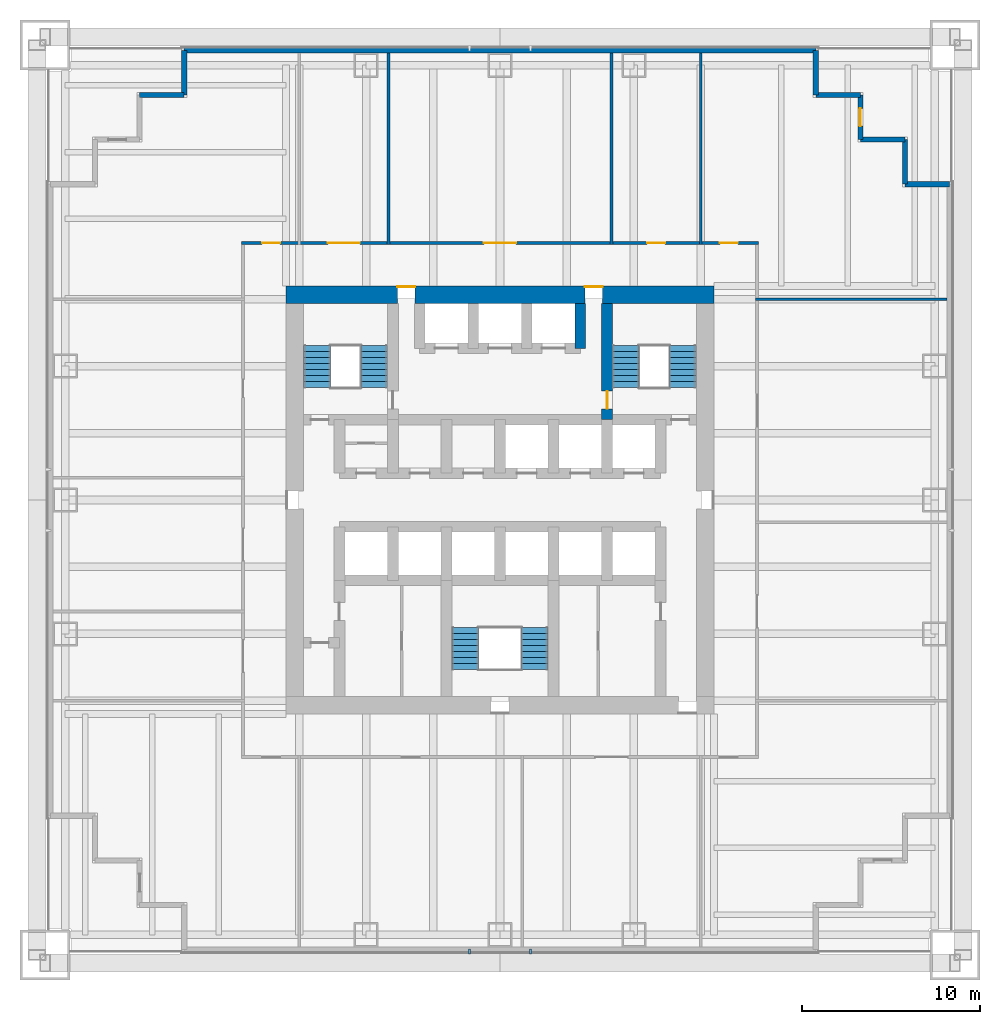
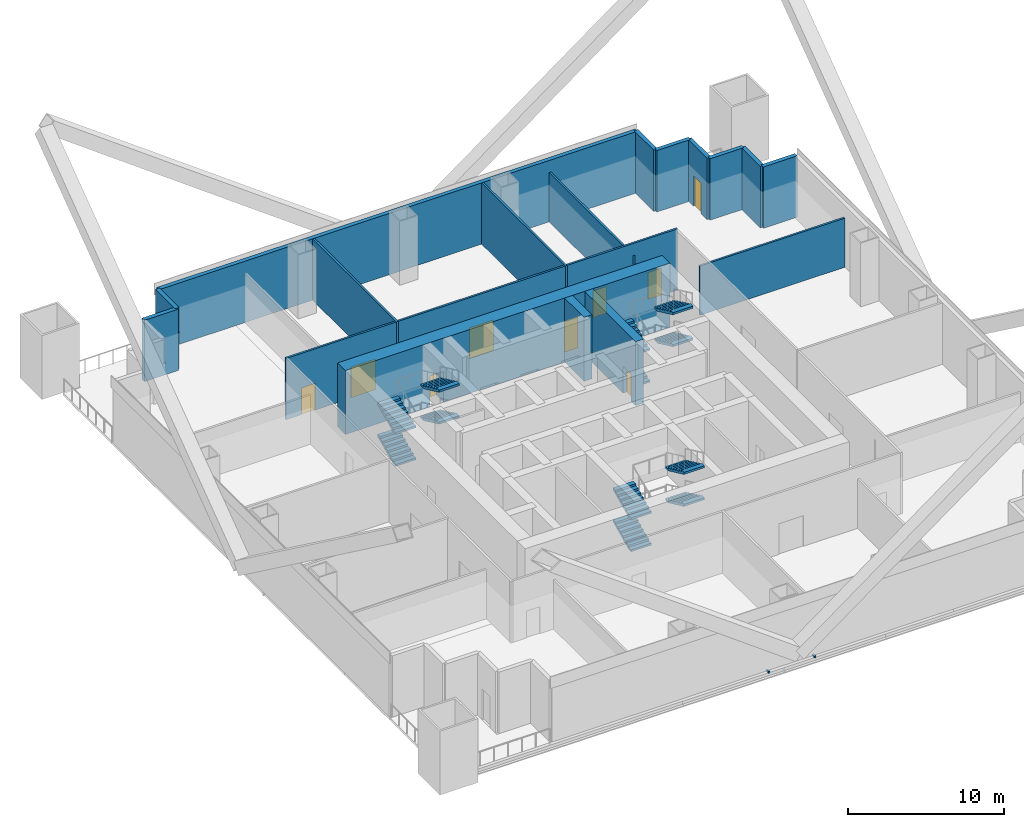
# One storey, part 4 of 7: 17 walls, 12 stair flights, 9 doors, 2 discrete accessories, 9 openings, 3 elements without a shape of their own.
"""IFC4 building model written with IfcOpenShell, lengths in metres."""

import ifcopenshell
import ifcopenshell.guid

model = None  # the IFC model being written
_history = None  # IfcOwnerHistory: only IFC2X3 demands one
_inside = {}  # id of a spatial element -> (the spatial element, [elements in it])
_under = {}  # id of a project, library or spatial element -> (it, [spatial elements below it])
_declared = {}  # id of a project -> (the project, [libraries it declares])
_typed = {}  # id of a type object -> (the type object, [elements of that type])
_made_of = {}  # id of a material, layer set ... -> (it, [elements and type objects made of it])


def new_model(schema):
    """Start an empty IFC model of exactly this schema.

    Asked for "IFC4X3", IfcOpenShell would pick the latest addendum, in which some entities
    have other attributes; the version numbers below select the first issue.
    IFC2X3 requires an IfcOwnerHistory on every rooted entity: one is made here for all.
    """
    global model, _history
    if schema == "IFC4X3":
        model = ifcopenshell.file(schema_version=(4, 3, 0, 0))
    else:
        model = ifcopenshell.file(schema=schema)
    _inside.clear()
    _under.clear()
    _declared.clear()
    _typed.clear()
    _made_of.clear()
    _history = None
    if model.schema == "IFC2X3":
        org = make("IfcOrganization", Name="unknown")
        user = make(
            "IfcPersonAndOrganization",
            ThePerson=make("IfcPerson", FamilyName="unknown"),
            TheOrganization=org,
        )
        app = make(
            "IfcApplication",
            ApplicationDeveloper=org,
            Version="unknown",
            ApplicationFullName="unknown",
            ApplicationIdentifier="unknown",
        )
        _history = make(
            "IfcOwnerHistory",
            OwningUser=user,
            OwningApplication=app,
            ChangeAction="ADDED",
            CreationDate=0,
        )
    return model


def make(cls, **values):
    """One entity of the class cls with the attributes given. An attribute that is None is left unset."""
    return model.create_entity(
        cls, **{name: value for name, value in values.items() if value is not None}
    )


def rooted(cls, **values):
    """An entity with a GlobalId (a new one), such as an element, a storey or a relation."""
    return make(cls, GlobalId=ifcopenshell.guid.new(), OwnerHistory=_history, **values)


def si_unit(unit_type, name, prefix=None):
    """IfcSIUnit, for example si_unit("LENGTHUNIT", "METRE", prefix="MILLI")."""
    return make("IfcSIUnit", UnitType=unit_type, Prefix=prefix, Name=name)


def assignment(units):
    """IfcUnitAssignment: the units of a project."""
    return None if units is None else make("IfcUnitAssignment", Units=units)


def point(xyz):
    """IfcCartesianPoint."""
    return None if xyz is None else make("IfcCartesianPoint", Coordinates=xyz)


def direction(xyz):
    """IfcDirection."""
    return None if xyz is None else make("IfcDirection", DirectionRatios=xyz)


def frame(location, z_axis=None, x_axis=None):
    """IfcAxis2Placement3D, a coordinate frame: its origin and axes. An axis left out is left unset."""
    return make(
        "IfcAxis2Placement3D",
        Location=point(location),
        Axis=direction(z_axis),
        RefDirection=direction(x_axis),
    )


def frame_2d(location, x_axis=None):
    """IfcAxis2Placement2D, a coordinate frame in the plane: its origin and x axis."""
    return make(
        "IfcAxis2Placement2D", Location=point(location), RefDirection=direction(x_axis)
    )


def origin():
    """The frame at (0, 0, 0) with its axes left unset."""
    return frame((0.0, 0.0, 0.0))


def origin_2d():
    """The frame at (0, 0) in the plane with its x axis left unset."""
    return frame_2d((0.0, 0.0))


def place(relative_to, where):
    """IfcLocalPlacement: puts the frame where relative to a parent placement (None: the world)."""
    return make(
        "IfcLocalPlacement", PlacementRelTo=relative_to, RelativePlacement=where
    )


def context(
    kind, dimensions, precision=None, world=None, true_north=None, identifier=None
):
    """IfcGeometricRepresentationContext, for example the 3D "Model" context."""
    return make(
        "IfcGeometricRepresentationContext",
        ContextIdentifier=identifier,
        ContextType=kind,
        CoordinateSpaceDimension=dimensions,
        Precision=precision,
        WorldCoordinateSystem=world,
        TrueNorth=true_north,
    )


def subcontext(parent, identifier, kind, view, scale=None):
    """IfcGeometricRepresentationSubContext, for example "Body" below "Model"."""
    return make(
        "IfcGeometricRepresentationSubContext",
        ContextIdentifier=identifier,
        ContextType=kind,
        ParentContext=parent,
        TargetScale=scale,
        TargetView=view,
    )


def project(units=None, contexts=None):
    """IfcProject with its units and contexts."""
    return rooted(
        "IfcProject",
        Name="project",
        RepresentationContexts=contexts,
        UnitsInContext=assignment(units),
    )


def spatial(cls, under=None, at=None, **own):
    """A site, building, storey or space (cls), placed at a placement, below another one or the project."""
    s = rooted(cls, ObjectPlacement=at, **own)
    if under is not None:
        _under.setdefault(under.id(), (under, []))[1].append(s)
    return s


def polyline(points):
    """IfcPolyline through the points."""
    return make("IfcPolyline", Points=[point(p) for p in points])


def profile(cls, at=None, kind="AREA", **sizes):
    """A parametric profile (cls). Its sizes go by their IFC names, for example OverallWidth=200.0."""
    return make(cls, ProfileType=kind, Position=at, **sizes)


def rectangle(**sizes):
    """IfcRectangleProfileDef."""
    return profile("IfcRectangleProfileDef", **sizes)


def outline(outer, holes=None, kind="AREA"):
    """IfcArbitraryClosedProfileDef: a profile drawn as a closed curve; with holes, ...WithVoids."""
    if holes is None:
        return make("IfcArbitraryClosedProfileDef", ProfileType=kind, OuterCurve=outer)
    return make(
        "IfcArbitraryProfileDefWithVoids",
        ProfileType=kind,
        OuterCurve=outer,
        InnerCurves=holes,
    )


def extrude(swept, where, along, depth):
    """IfcExtrudedAreaSolid: the profile swept, set in the frame where, extruded along a direction by depth."""
    return make(
        "IfcExtrudedAreaSolid",
        SweptArea=swept,
        Position=where,
        ExtrudedDirection=direction(along),
        Depth=depth,
    )


def shape(context_of_items, identifier, shape_type, items):
    """IfcShapeRepresentation: the items that make up one representation, for example the "Body"."""
    return make(
        "IfcShapeRepresentation",
        ContextOfItems=context_of_items,
        RepresentationIdentifier=identifier,
        RepresentationType=shape_type,
        Items=items,
    )


def material(Name=None, Category=None):
    """IfcMaterial."""
    return make("IfcMaterial", Name=Name, Category=Category)


def layer(
    of_material, thickness, ventilated=None, Name=None, Category=None, Priority=None
):
    """IfcMaterialLayer: one layer of a wall or slab, of a material (None: an air gap)."""
    return make(
        "IfcMaterialLayer",
        Material=of_material,
        LayerThickness=thickness,
        IsVentilated=ventilated,
        Name=Name,
        Category=Category,
        Priority=Priority,
    )


def layer_set(layers, Name=None):
    """IfcMaterialLayerSet."""
    return make("IfcMaterialLayerSet", MaterialLayers=layers, LayerSetName=Name)


def made_of(thing, what):
    """Note that an element or type object is made of a material, layer set ...; save() writes the relation."""
    if what is not None:
        _made_of.setdefault(what.id(), (what, []))[1].append(thing)
    return thing


def type_object(cls, material=None, **own):
    """A type object (cls), such as IfcWallType, which elements share."""
    return made_of(rooted(cls, **own), material)


def element(
    cls,
    number,
    at=None,
    inside=None,
    cuts=None,
    type_object=None,
    material=None,
    context=None,
    identifier="Body",
    shape_type=None,
    held_by="IfcProductDefinitionShape",
    body=None,
    shapes=None,
    **own,
):
    """One element of the class cls, such as IfcWall. Its Tag is "e" and its number.

    at: its placement. inside: the storey or other place that contains it. cuts: it is an
    opening in that element (IfcRelVoidsElement). A single representation is given by context,
    identifier, shape_type and body (its items); several are given by shapes. held_by: the class
    of the entity that holds the representations. save() writes the other relations.
    """
    e = rooted(cls, Tag="e%d" % number, ObjectPlacement=at, **own)
    if body is not None:
        shapes = [shape(context, identifier, shape_type, body)]
    if shapes is not None:
        e.Representation = make(held_by, Representations=shapes)
    if inside is not None:
        _inside.setdefault(inside.id(), (inside, []))[1].append(e)
    if cuts is not None:
        rooted(
            "IfcRelVoidsElement", RelatingBuildingElement=cuts, RelatedOpeningElement=e
        )
    if type_object is not None:
        _typed.setdefault(type_object.id(), (type_object, []))[1].append(e)
    return made_of(e, material)


def fill(opening, filler):
    """IfcRelFillsElement: the door or window that sits in an opening."""
    return rooted(
        "IfcRelFillsElement",
        RelatingOpeningElement=opening,
        RelatedBuildingElement=filler,
    )


def aggregate(whole, parts):
    """IfcRelAggregates: a whole, such as a stair, and the parts it consists of."""
    return rooted("IfcRelAggregates", RelatingObject=whole, RelatedObjects=parts)


def save(model, path):
    """Write the relations noted so far, then the file.

    IfcRelAggregates (storeys below a building ...), IfcRelContainedInSpatialStructure (elements
    in a storey), IfcRelDefinesByType, IfcRelAssociatesMaterial and IfcRelDeclares: one each for
    every whole, place, type object, material and project.
    """
    for whole, parts in _under.values():
        aggregate(whole, parts)
    for where, things in _inside.values():
        rooted(
            "IfcRelContainedInSpatialStructure",
            RelatedElements=things,
            RelatingStructure=where,
        )
    for kind, things in _typed.values():
        rooted("IfcRelDefinesByType", RelatedObjects=things, RelatingType=kind)
    for what, things in _made_of.values():
        rooted("IfcRelAssociatesMaterial", RelatedObjects=things, RelatingMaterial=what)
    for by, libraries in _declared.values():
        rooted("IfcRelDeclares", RelatingContext=by, RelatedDefinitions=libraries)
    model.write(path)


model = new_model("IFC4")

# Units and contexts
model_context = context("Model", 3, precision=1e-05, world=origin(), true_north=direction((0.0, 1.0)))
body_context = subcontext(model_context, "Body", "Model", "MODEL_VIEW")
ifc_project = project(units=[si_unit("LENGTHUNIT", "METRE"), si_unit("AREAUNIT", "SQUARE_METRE"), si_unit("VOLUMEUNIT", "CUBIC_METRE"), si_unit("PLANEANGLEUNIT", "RADIAN"), si_unit("MASSUNIT", "GRAM", prefix="KILO")], contexts=[model_context])

# Site, building, storey
site_placement = place(None, origin())
site = spatial("IfcSite", under=ifc_project, at=site_placement, CompositionType="ELEMENT")
building_placement = place(site_placement, origin())
building = spatial("IfcBuilding", under=site, at=building_placement, Name="Tarangal Relay Tower", CompositionType="ELEMENT")
storey_placement = place(building_placement, frame((0.0, 0.0, 78.39990234375)))
storey = spatial("IfcBuildingStorey", under=building, at=storey_placement, Name="L15", CompositionType="ELEMENT", Elevation=78.39990234375)

# Wall, opening, door
ifc_material_1 = material(Name="Concrete fc' 60 MPa", Category="concrete")
ifc_layer_1 = layer(ifc_material_1, 0.60009765625)
ifc_layer_set_1 = layer_set([ifc_layer_1], Name="Core inner wall 600")
wall_type_1 = type_object("IfcWallType", Name="Core inner wall 600", PredefinedType="SHEAR", material=ifc_layer_set_1)
wall_1_placement = place(storey_placement, frame((6.0, 4.5, 0.0), z_axis=(0.0, 0.0, 1.0), x_axis=(0.0, 1.0, 0.0)))
wall_1 = element("IfcWall", 1, at=wall_1_placement, inside=storey, type_object=wall_type_1, Name="Core wall X6 L15", PredefinedType="SHEAR", context=body_context, shape_type="SweptSolid", body=[
    extrude(rectangle(XDim=6.5, YDim=0.60009765625, at=frame_2d((3.25, 0.0))), origin(), (0.0, 0.0, 1.0), 5.0),
])
opening_1_placement = place(wall_1_placement, frame((0.60009765625, 0.0, 0.0)))
opening_1 = element("IfcOpeningElement", 2, at=opening_1_placement, cuts=wall_1, Name="Opening FD1", PredefinedType="OPENING", context=body_context, shape_type="SweptSolid", body=[
    extrude(rectangle(XDim=1.0, YDim=2.10009765625, at=frame_2d((0.5, 1.050048828125))), frame((0.0, 0.31005859375, 0.0), z_axis=(0.0, -1.0, 0.0), x_axis=(1.0, 0.0, 0.0)), (0.0, 0.0, 1.0), 0.6201171875),
])
ifc_material_2 = material(Name="Steel door with hardwood frame", Category="steel")
door_type_1 = type_object("IfcDoorType", Name="Fire door 1000 x 2100", OperationType="SINGLE_SWING_LEFT", PredefinedType="DOOR", material=ifc_material_2)
door_1_placement = place(opening_1_placement, origin())
door_1 = element("IfcDoor", 3, at=door_1_placement, inside=storey, type_object=door_type_1, Name="Stair ST-B door from fire-fighting lobby L15", OperationType="SINGLE_SWING_LEFT", OverallHeight=2.10009765625, OverallWidth=1.0, PredefinedType="DOOR", context=body_context, shape_type="SweptSolid", body=[
    extrude(rectangle(XDim=1.0, YDim=2.10009765625, at=frame_2d((0.5, 1.050048828125))), frame((0.0, 0.02490234375, 0.0), z_axis=(0.0, -1.0, 0.0), x_axis=(1.0, 0.0, 0.0)), (0.0, 0.0, 1.0), 0.050048828125),
])
fill(opening_1, door_1)

# Wall
wall_2_placement = place(storey_placement, frame((4.5, 8.5, 0.0), z_axis=(0.0, 0.0, 1.0), x_axis=(0.0, 1.0, 0.0)))
element("IfcWall", 4, at=wall_2_placement, inside=storey, type_object=wall_type_1, Name="Core wall X45 L15", PredefinedType="SHEAR", context=body_context, shape_type="SweptSolid", body=[
    extrude(rectangle(XDim=2.5, YDim=0.60009765625, at=frame_2d((1.25, 0.0))), origin(), (0.0, 0.0, 1.0), 5.0),
])

# Wall, openings, doors
ifc_layer_2 = layer(ifc_material_1, 1.0)
ifc_layer_set_2 = layer_set([ifc_layer_2], Name="Core wall 1000")
wall_type_2 = type_object("IfcWallType", Name="Core wall 1000", PredefinedType="SHEAR", material=ifc_layer_set_2)
wall_3_placement = place(storey_placement, frame((-12.0, 11.5, 0.0), z_axis=(0.0, 0.0, 1.0), x_axis=(1.0, 0.0, 0.0)))
wall_3 = element("IfcWall", 5, at=wall_3_placement, inside=storey, type_object=wall_type_2, Name="Core wall N L15", PredefinedType="SHEAR", context=body_context, shape_type="SweptSolid", body=[
    extrude(rectangle(XDim=24.0, YDim=1.0, at=frame_2d((12.0, 0.0))), origin(), (0.0, 0.0, 1.0), 5.0),
])
opening_2_placement = place(wall_3_placement, frame((6.25, 0.0, 0.0)))
opening_2 = element("IfcOpeningElement", 6, at=opening_2_placement, cuts=wall_3, Name="Opening FD3", PredefinedType="OPENING", context=body_context, shape_type="SweptSolid", body=[
    extrude(rectangle(XDim=1.0, YDim=2.39990234375, at=frame_2d((0.5, 1.199951171875))), frame((0.0, 0.510009765625, 0.0), z_axis=(0.0, -1.0, 0.0), x_axis=(1.0, 0.0, 0.0)), (0.0, 0.0, 1.0), 1.02001953125),
])
opening_3_placement = place(wall_3_placement, frame((16.75, 0.0, 0.0)))
opening_3 = element("IfcOpeningElement", 7, at=opening_3_placement, cuts=wall_3, Name="Opening FD3", PredefinedType="OPENING", context=body_context, shape_type="SweptSolid", body=[
    extrude(rectangle(XDim=1.0, YDim=2.39990234375, at=frame_2d((0.5, 1.199951171875))), frame((0.0, 0.510009765625, 0.0), z_axis=(0.0, -1.0, 0.0), x_axis=(1.0, 0.0, 0.0)), (0.0, 0.0, 1.0), 1.02001953125),
])
door_type_2 = type_object("IfcDoorType", Name="Fire door 1000 x 2400 core entry", OperationType="SINGLE_SWING_RIGHT", PredefinedType="DOOR", material=ifc_material_2)
door_2_placement = place(opening_2_placement, origin())
door_2 = element("IfcDoor", 8, at=door_2_placement, inside=storey, type_object=door_type_2, Name="Core entry door north west L15", OperationType="SINGLE_SWING_RIGHT", OverallHeight=2.39990234375, OverallWidth=1.0, PredefinedType="DOOR", context=body_context, shape_type="SweptSolid", body=[
    extrude(rectangle(XDim=1.0, YDim=2.39990234375, at=frame_2d((0.5, 1.199951171875))), frame((0.0, 0.48486328125, 0.0), z_axis=(0.0, -1.0, 0.0), x_axis=(1.0, 0.0, 0.0)), (0.0, 0.0, 1.0), 0.050048828125),
])
fill(opening_2, door_2)
door_3_placement = place(opening_3_placement, origin())
door_3 = element("IfcDoor", 9, at=door_3_placement, inside=storey, type_object=door_type_2, Name="Core entry door north east L15", OperationType="SINGLE_SWING_RIGHT", OverallHeight=2.39990234375, OverallWidth=1.0, PredefinedType="DOOR", context=body_context, shape_type="SweptSolid", body=[
    extrude(rectangle(XDim=1.0, YDim=2.39990234375, at=frame_2d((0.5, 1.199951171875))), frame((0.0, 0.48486328125, 0.0), z_axis=(0.0, -1.0, 0.0), x_axis=(1.0, 0.0, 0.0)), (0.0, 0.0, 1.0), 0.050048828125),
])
fill(opening_3, door_3)

# Walls
ifc_material_3 = material(Name="Insulated precast concrete fc' 40 MPa", Category="concrete")
ifc_layer_3 = layer(ifc_material_3, 0.300048828125)
ifc_layer_set_3 = layer_set([ifc_layer_3], Name="Insulated precast concrete fc' 40 MPa")
wall_type_3 = type_object("IfcWallType", Name="Facade wall precast 300", PredefinedType="SOLIDWALL", material=ifc_layer_set_3)
wall_4_placement = place(storey_placement, frame((-17.699951171875, 25.199951171875, 0.0), z_axis=(0.0, 0.0, 1.0), x_axis=(1.0, 0.0, 0.0)))
element("IfcWall", 10, at=wall_4_placement, inside=storey, type_object=wall_type_3, Name="Facade wall N facade L15", PredefinedType="SOLIDWALL", context=body_context, shape_type="SweptSolid", body=[
    extrude(rectangle(XDim=35.39990234375, YDim=0.300048828125, at=frame_2d((17.699951171875, 0.0))), origin(), (0.0, 0.0, 1.0), 4.800048828125),
])
for number, where, z_axis, x_axis, name in (
    (11, (17.699951171875, 25.199951171875, 0.0), (0.0, 0.0, 1.0), (0.0, -1.0, 0.0), "Facade wall N facade L15"),
    (12, (17.699951171875, 22.699951171875, 0.0), (0.0, 0.0, 1.0), (1.0, 0.0, 0.0), "Facade wall N facade L15"),
):
    element("IfcWall", number, at=place(storey_placement, frame(where, z_axis=z_axis, x_axis=x_axis)), inside=storey, type_object=wall_type_3, Name=name, PredefinedType="SOLIDWALL", context=body_context, shape_type="SweptSolid", body=[
        extrude(rectangle(XDim=2.5, YDim=0.300048828125, at=frame_2d((1.25, 0.0))), origin(), (0.0, 0.0, 1.0), 4.800048828125),
    ])

# Wall, opening, door
wall_5_placement = place(storey_placement, frame((20.199951171875, 22.699951171875, 0.0), z_axis=(0.0, 0.0, 1.0), x_axis=(0.0, -1.0, 0.0)))
wall_5 = element("IfcWall", 13, at=wall_5_placement, inside=storey, type_object=wall_type_3, Name="Facade wall N facade L15", PredefinedType="SOLIDWALL", context=body_context, shape_type="SweptSolid", body=[
    extrude(rectangle(XDim=2.5, YDim=0.300048828125, at=frame_2d((1.25, 0.0))), origin(), (0.0, 0.0, 1.0), 4.800048828125),
])
opening_4_placement = place(wall_5_placement, frame((0.75, 0.0, 0.0)))
opening_4 = element("IfcOpeningElement", 14, at=opening_4_placement, cuts=wall_5, Name="Opening TD1", PredefinedType="OPENING", context=body_context, shape_type="SweptSolid", body=[
    extrude(rectangle(XDim=1.0, YDim=2.39990234375, at=frame_2d((0.5, 1.199951171875))), frame((0.0, 0.159912109375, 0.0), z_axis=(0.0, -1.0, 0.0), x_axis=(1.0, 0.0, 0.0)), (0.0, 0.0, 1.0), 0.320068359375),
])
ifc_material_4 = material(Name="Aluminium glazed door", Category="aluminium")
door_type_3 = type_object("IfcDoorType", Name="Terrace door 1000 x 2400", OperationType="SINGLE_SWING_RIGHT", PredefinedType="DOOR", material=ifc_material_4)
door_4_placement = place(opening_4_placement, origin())
door_4 = element("IfcDoor", 15, at=door_4_placement, inside=storey, type_object=door_type_3, Name="Terrace door TD1 NE L15", OperationType="SINGLE_SWING_RIGHT", OverallHeight=2.39990234375, OverallWidth=1.0, PredefinedType="DOOR", context=body_context, shape_type="SweptSolid", body=[
    extrude(rectangle(XDim=1.0, YDim=2.39990234375, at=frame_2d((0.5, 1.199951171875))), frame((0.0, 0.02490234375, 0.0), z_axis=(0.0, -1.0, 0.0), x_axis=(1.0, 0.0, 0.0)), (0.0, 0.0, 1.0), 0.050048828125),
])
fill(opening_4, door_4)

# Walls
for number, where, z_axis, x_axis, name in (
    (16, (20.199951171875, 20.199951171875, 0.0), (0.0, 0.0, 1.0), (1.0, 0.0, 0.0), "Facade wall N facade L15"),
    (17, (22.699951171875, 20.199951171875, 0.0), (0.0, 0.0, 1.0), (0.0, -1.0, 0.0), "Facade wall N facade L15"),
    (18, (22.699951171875, 17.699951171875, 0.0), (0.0, 0.0, 1.0), (1.0, 0.0, 0.0), "Facade wall N facade L15"),
    (19, (-20.199951171875, 22.699951171875, 0.0), (0.0, 0.0, 1.0), (1.0, 0.0, 0.0), "Facade wall W facade L15"),
    (20, (-17.699951171875, 22.699951171875, 0.0), (0.0, 0.0, 1.0), (0.0, 1.0, 0.0), "Facade wall W facade L15"),
):
    element("IfcWall", number, at=place(storey_placement, frame(where, z_axis=z_axis, x_axis=x_axis)), inside=storey, type_object=wall_type_3, Name=name, PredefinedType="SOLIDWALL", context=body_context, shape_type="SweptSolid", body=[
        extrude(rectangle(XDim=2.5, YDim=0.300048828125, at=frame_2d((1.25, 0.0))), origin(), (0.0, 0.0, 1.0), 4.800048828125),
    ])
ifc_material_5 = material(Name="Gypsum board on steel studs", Category="steel")
ifc_layer_4 = layer(ifc_material_5, 0.14990234375)
ifc_layer_set_4 = layer_set([ifc_layer_4], Name="Partition 150")
wall_type_4 = type_object("IfcWallType", Name="Partition 150", PredefinedType="PARTITIONING", material=ifc_layer_set_4)
wall_6_placement = place(storey_placement, frame((14.324951171875, 11.25, 0.0), z_axis=(0.0, 0.0, 1.0), x_axis=(1.0, 0.0, 0.0)))
element("IfcWall", 21, at=wall_6_placement, inside=storey, type_object=wall_type_4, Name="Partition PT1 L15", PredefinedType="PARTITIONING", context=body_context, shape_type="SweptSolid", body=[
    extrude(rectangle(XDim=10.72509765625, YDim=0.14990234375, at=frame_2d((5.362548828125, 0.0))), origin(), (0.0, 0.0, 1.0), 3.852783203125),
])

# Wall, openings, doors
wall_7_placement = place(storey_placement, frame((-14.47509765625, 14.39990234375, 0.0), z_axis=(0.0, 0.0, 1.0), x_axis=(1.0, 0.0, 0.0)))
wall_7 = element("IfcWall", 22, at=wall_7_placement, inside=storey, type_object=wall_type_4, Name="Partition PT1 L15", PredefinedType="PARTITIONING", context=body_context, shape_type="SweptSolid", body=[
    extrude(rectangle(XDim=28.9501953125, YDim=0.14990234375, at=frame_2d((14.47509765625, 0.0))), origin(), (0.0, 0.0, 1.0), 4.800048828125),
])
opening_5_placement = place(wall_7_placement, frame((4.824951171875, 0.0, 0.0)))
opening_5 = element("IfcOpeningElement", 23, at=opening_5_placement, cuts=wall_7, Name="Opening DD1", PredefinedType="OPENING", context=body_context, shape_type="SweptSolid", body=[
    extrude(rectangle(XDim=1.800048828125, YDim=2.39990234375, at=frame_2d((0.89990234375, 1.199951171875))), frame((0.0, 0.0849609375, 0.0), z_axis=(0.0, -1.0, 0.0), x_axis=(1.0, 0.0, 0.0)), (0.0, 0.0, 1.0), 0.169921875),
])
opening_6_placement = place(wall_7_placement, frame((13.574951171875, 0.0, 0.0)))
opening_6 = element("IfcOpeningElement", 24, at=opening_6_placement, cuts=wall_7, Name="Opening DD1", PredefinedType="OPENING", context=body_context, shape_type="SweptSolid", body=[
    extrude(rectangle(XDim=1.800048828125, YDim=2.39990234375, at=frame_2d((0.89990234375, 1.199951171875))), frame((0.0, 0.0849609375, 0.0), z_axis=(0.0, -1.0, 0.0), x_axis=(1.0, 0.0, 0.0)), (0.0, 0.0, 1.0), 0.169921875),
])
opening_7_placement = place(wall_7_placement, frame((22.72509765625, 0.0, 0.0)))
opening_7 = element("IfcOpeningElement", 25, at=opening_7_placement, cuts=wall_7, Name="Opening D2", PredefinedType="OPENING", context=body_context, shape_type="SweptSolid", body=[
    extrude(rectangle(XDim=1.0, YDim=2.10009765625, at=frame_2d((0.5, 1.050048828125))), frame((0.0, 0.0849609375, 0.0), z_axis=(0.0, -1.0, 0.0), x_axis=(1.0, 0.0, 0.0)), (0.0, 0.0, 1.0), 0.169921875),
])
opening_8_placement = place(wall_7_placement, frame((26.800048828125, 0.0, 0.0)))
opening_8 = element("IfcOpeningElement", 26, at=opening_8_placement, cuts=wall_7, Name="Opening D2", PredefinedType="OPENING", context=body_context, shape_type="SweptSolid", body=[
    extrude(rectangle(XDim=1.0, YDim=2.10009765625, at=frame_2d((0.5, 1.050048828125))), frame((0.0, 0.0849609375, 0.0), z_axis=(0.0, -1.0, 0.0), x_axis=(1.0, 0.0, 0.0)), (0.0, 0.0, 1.0), 0.169921875),
])
opening_9_placement = place(wall_7_placement, frame((1.14990234375, 0.0, 0.0)))
opening_9 = element("IfcOpeningElement", 27, at=opening_9_placement, cuts=wall_7, Name="Opening D2", PredefinedType="OPENING", context=body_context, shape_type="SweptSolid", body=[
    extrude(rectangle(XDim=1.0, YDim=2.10009765625, at=frame_2d((0.5, 1.050048828125))), frame((0.0, 0.0849609375, 0.0), z_axis=(0.0, -1.0, 0.0), x_axis=(1.0, 0.0, 0.0)), (0.0, 0.0, 1.0), 0.169921875),
])
ifc_material_6 = material(Name="Hardwood door", Category="wood")
door_type_4 = type_object("IfcDoorType", Name="Door 1000 x 2100", OperationType="SINGLE_SWING_LEFT", PredefinedType="DOOR", material=ifc_material_6)
door_5_placement = place(opening_7_placement, origin())
door_5 = element("IfcDoor", 28, at=door_5_placement, inside=storey, type_object=door_type_4, Name="Door D2 to rack build and test room L15-04", OperationType="SINGLE_SWING_LEFT", OverallHeight=2.10009765625, OverallWidth=1.0, PredefinedType="DOOR", context=body_context, shape_type="SweptSolid", body=[
    extrude(rectangle(XDim=1.0, YDim=2.10009765625, at=frame_2d((0.5, 1.050048828125))), frame((0.0, 0.02490234375, 0.0), z_axis=(0.0, -1.0, 0.0), x_axis=(1.0, 0.0, 0.0)), (0.0, 0.0, 1.0), 0.050048828125),
])
fill(opening_7, door_5)
door_6_placement = place(opening_8_placement, origin())
door_6 = element("IfcDoor", 29, at=door_6_placement, inside=storey, type_object=door_type_4, Name="Door D2 to security office L15-12", OperationType="SINGLE_SWING_LEFT", OverallHeight=2.10009765625, OverallWidth=1.0, PredefinedType="DOOR", context=body_context, shape_type="SweptSolid", body=[
    extrude(rectangle(XDim=1.0, YDim=2.10009765625, at=frame_2d((0.5, 1.050048828125))), frame((0.0, 0.02490234375, 0.0), z_axis=(0.0, -1.0, 0.0), x_axis=(1.0, 0.0, 0.0)), (0.0, 0.0, 1.0), 0.050048828125),
])
fill(opening_8, door_6)
door_7_placement = place(opening_9_placement, origin())
door_7 = element("IfcDoor", 30, at=door_7_placement, inside=storey, type_object=door_type_4, Name="Door D2 to network operations room L15-15", OperationType="SINGLE_SWING_LEFT", OverallHeight=2.10009765625, OverallWidth=1.0, PredefinedType="DOOR", context=body_context, shape_type="SweptSolid", body=[
    extrude(rectangle(XDim=1.0, YDim=2.10009765625, at=frame_2d((0.5, 1.050048828125))), frame((0.0, 0.02490234375, 0.0), z_axis=(0.0, -1.0, 0.0), x_axis=(1.0, 0.0, 0.0)), (0.0, 0.0, 1.0), 0.050048828125),
])
fill(opening_9, door_7)
door_type_5 = type_object("IfcDoorType", Name="Equipment double door 1800 x 2400", OperationType="DOUBLE_DOOR_SINGLE_SWING", PredefinedType="DOOR", material=ifc_material_2)
door_8_placement = place(opening_5_placement, origin())
door_8 = element("IfcDoor", 31, at=door_8_placement, inside=storey, type_object=door_type_5, Name="Door DD1 to coolant distribution plant room L15-02", OperationType="DOUBLE_DOOR_SINGLE_SWING", OverallHeight=2.39990234375, OverallWidth=1.800048828125, PredefinedType="DOOR", context=body_context, shape_type="SweptSolid", body=[
    extrude(rectangle(XDim=1.800048828125, YDim=2.39990234375, at=frame_2d((0.89990234375, 1.199951171875))), frame((0.0, 0.02490234375, 0.0), z_axis=(0.0, -1.0, 0.0), x_axis=(1.0, 0.0, 0.0)), (0.0, 0.0, 1.0), 0.050048828125),
])
fill(opening_5, door_8)
door_9_placement = place(opening_6_placement, origin())
door_9 = element("IfcDoor", 32, at=door_9_placement, inside=storey, type_object=door_type_5, Name="Door DD1 to data hall L15-03", OperationType="DOUBLE_DOOR_SINGLE_SWING", OverallHeight=2.39990234375, OverallWidth=1.800048828125, PredefinedType="DOOR", context=body_context, shape_type="SweptSolid", body=[
    extrude(rectangle(XDim=1.800048828125, YDim=2.39990234375, at=frame_2d((0.89990234375, 1.199951171875))), frame((0.0, 0.02490234375, 0.0), z_axis=(0.0, -1.0, 0.0), x_axis=(1.0, 0.0, 0.0)), (0.0, 0.0, 1.0), 0.050048828125),
])
fill(opening_6, door_9)

# Walls
for number, where, z_axis, x_axis, name in (
    (33, (-6.25, 14.324951171875, 0.0), (0.0, 0.0, 1.0), (0.0, 1.0, 0.0), "Partition PT1 L15"),
    (34, (6.25, 14.324951171875, 0.0), (0.0, 0.0, 1.0), (0.0, 1.0, 0.0), "Partition PT1 L15"),
):
    element("IfcWall", number, at=place(storey_placement, frame(where, z_axis=z_axis, x_axis=x_axis)), inside=storey, type_object=wall_type_4, Name=name, PredefinedType="PARTITIONING", context=body_context, shape_type="SweptSolid", body=[
        extrude(rectangle(XDim=10.72509765625, YDim=0.14990234375, at=frame_2d((5.362548828125, 0.0))), origin(), (0.0, 0.0, 1.0), 4.800048828125),
    ])
wall_8_placement = place(storey_placement, frame((11.25, 14.324951171875, 0.0), z_axis=(0.0, 0.0, 1.0), x_axis=(0.0, 1.0, 0.0)))
element("IfcWall", 35, at=wall_8_placement, inside=storey, type_object=wall_type_4, Name="Partition PT1 L15", PredefinedType="PARTITIONING", context=body_context, shape_type="SweptSolid", body=[
    extrude(rectangle(XDim=10.72509765625, YDim=0.14990234375, at=frame_2d((5.362548828125, 0.0))), origin(), (0.0, 0.0, 1.0), 3.852783203125),
])

# Stair, stair flights
ifc_material_7 = material(Name="Steel ASTM A992 stair flight", Category="steel")
stair_type = type_object("IfcStairType", Name="Core stair 1500", PredefinedType="HALF_TURN_STAIR", material=ifc_material_7)
stair_1_placement = place(storey_placement, origin())
stair_1 = element("IfcStair", 36, at=stair_1_placement, inside=storey, type_object=stair_type, Name="Stair ST-A L15", PredefinedType="HALF_TURN_STAIR")
stair_flight_type = type_object("IfcStairFlightType", Name="Steel stair flight 1500, 8 risers 156 x 335", PredefinedType="STRAIGHT", material=ifc_material_7)
stair_flight_1_placement = place(storey_placement, frame((-10.25, 6.300048828125, 0.0), z_axis=(0.0, 0.0, 1.0), x_axis=(0.0, 1.0, 0.0)))
stair_flight_1 = element("IfcStairFlight", 37, at=stair_flight_1_placement, type_object=stair_flight_type, Name="ST-A flight 1", NumberOfRisers=8, NumberOfTreads=7, PredefinedType="STRAIGHT", RiserHeight=0.15625, TreadLength=0.335, context=body_context, shape_type="SweptSolid", body=[
    extrude(outline(polyline([(0.0, 0.0), (0.0, 0.15625), (0.3349609375, 0.15625), (0.3349609375, 0.3125), (0.669921875, 0.3125), (0.669921875, 0.46875), (1.0048828125, 0.46875), (1.0048828125, 0.625), (1.340087890625, 0.625), (1.340087890625, 0.78125), (1.675048828125, 0.78125), (1.675048828125, 0.9375), (2.010009765625, 0.9375), (2.010009765625, 1.09375), (2.344970703125, 1.09375), (2.344970703125, 1.25), (2.344970703125, 0.92822265625), (0.354736328125, 0.0), (0.0, 0.0)])), frame((0.0, 0.75, 0.0), z_axis=(0.0, -1.0, 0.0), x_axis=(1.0, 0.0, 0.0)), (0.0, 0.0, 1.0), 1.5),
])
stair_flight_2_placement = place(storey_placement, frame((-7.050048828125, 8.64501953125, 1.25), z_axis=(0.0, 0.0, 1.0), x_axis=(0.0, -1.0, 0.0)))
stair_flight_2 = element("IfcStairFlight", 38, at=stair_flight_2_placement, type_object=stair_flight_type, Name="ST-A flight 2", NumberOfRisers=8, NumberOfTreads=7, PredefinedType="STRAIGHT", RiserHeight=0.15625, TreadLength=0.335, context=body_context, shape_type="SweptSolid", body=[
    extrude(outline(polyline([(0.0, 0.0), (0.0, 0.15625), (0.3349609375, 0.15625), (0.3349609375, 0.3125), (0.669921875, 0.3125), (0.669921875, 0.46875), (1.0048828125, 0.46875), (1.0048828125, 0.625), (1.340087890625, 0.625), (1.340087890625, 0.78125), (1.675048828125, 0.78125), (1.675048828125, 0.9375), (2.010009765625, 0.9375), (2.010009765625, 1.09375), (2.344970703125, 1.09375), (2.344970703125, 1.25), (2.344970703125, 0.92822265625), (0.354736328125, 0.0), (0.0, 0.0)])), frame((0.0, 0.75, 0.0), z_axis=(0.0, -1.0, 0.0), x_axis=(1.0, 0.0, 0.0)), (0.0, 0.0, 1.0), 1.5),
])
stair_flight_3_placement = place(storey_placement, frame((-10.25, 6.300048828125, 2.5), z_axis=(0.0, 0.0, 1.0), x_axis=(0.0, 1.0, 0.0)))
stair_flight_3 = element("IfcStairFlight", 39, at=stair_flight_3_placement, type_object=stair_flight_type, Name="ST-A flight 3", NumberOfRisers=8, NumberOfTreads=7, PredefinedType="STRAIGHT", RiserHeight=0.15625, TreadLength=0.335, context=body_context, shape_type="SweptSolid", body=[
    extrude(outline(polyline([(0.0, 0.0), (0.0, 0.15625), (0.3349609375, 0.15625), (0.3349609375, 0.3125), (0.669921875, 0.3125), (0.669921875, 0.46875), (1.0048828125, 0.46875), (1.0048828125, 0.625), (1.340087890625, 0.625), (1.340087890625, 0.78125), (1.675048828125, 0.78125), (1.675048828125, 0.9375), (2.010009765625, 0.9375), (2.010009765625, 1.09375), (2.344970703125, 1.09375), (2.344970703125, 1.25), (2.344970703125, 0.92822265625), (0.354736328125, 0.0), (0.0, 0.0)])), frame((0.0, 0.75, 0.0), z_axis=(0.0, -1.0, 0.0), x_axis=(1.0, 0.0, 0.0)), (0.0, 0.0, 1.0), 1.5),
])
stair_flight_4_placement = place(storey_placement, frame((-7.050048828125, 8.64501953125, 3.75), z_axis=(0.0, 0.0, 1.0), x_axis=(0.0, -1.0, 0.0)))
stair_flight_4 = element("IfcStairFlight", 40, at=stair_flight_4_placement, type_object=stair_flight_type, Name="ST-A flight 4", NumberOfRisers=8, NumberOfTreads=7, PredefinedType="STRAIGHT", RiserHeight=0.15625, TreadLength=0.335, context=body_context, shape_type="SweptSolid", body=[
    extrude(outline(polyline([(0.0, 0.0), (0.0, 0.15625), (0.3349609375, 0.15625), (0.3349609375, 0.3125), (0.669921875, 0.3125), (0.669921875, 0.46875), (1.0048828125, 0.46875), (1.0048828125, 0.625), (1.340087890625, 0.625), (1.340087890625, 0.78125), (1.675048828125, 0.78125), (1.675048828125, 0.9375), (2.010009765625, 0.9375), (2.010009765625, 1.09375), (2.344970703125, 1.09375), (2.344970703125, 1.25), (2.344970703125, 0.92822265625), (0.354736328125, 0.0), (0.0, 0.0)])), frame((0.0, 0.75, 0.0), z_axis=(0.0, -1.0, 0.0), x_axis=(1.0, 0.0, 0.0)), (0.0, 0.0, 1.0), 1.5),
])
aggregate(stair_1, [stair_flight_1, stair_flight_2, stair_flight_3, stair_flight_4])

stair_2_placement = place(storey_placement, origin())
stair_2 = element("IfcStair", 41, at=stair_2_placement, inside=storey, type_object=stair_type, Name="Stair ST-B L15", PredefinedType="HALF_TURN_STAIR")
stair_flight_5_placement = place(storey_placement, frame((7.050048828125, 6.300048828125, 0.0), z_axis=(0.0, 0.0, 1.0), x_axis=(0.0, 1.0, 0.0)))
stair_flight_5 = element("IfcStairFlight", 42, at=stair_flight_5_placement, type_object=stair_flight_type, Name="ST-B flight 1", NumberOfRisers=8, NumberOfTreads=7, PredefinedType="STRAIGHT", RiserHeight=0.15625, TreadLength=0.335, context=body_context, shape_type="SweptSolid", body=[
    extrude(outline(polyline([(0.0, 0.0), (0.0, 0.15625), (0.3349609375, 0.15625), (0.3349609375, 0.3125), (0.669921875, 0.3125), (0.669921875, 0.46875), (1.0048828125, 0.46875), (1.0048828125, 0.625), (1.340087890625, 0.625), (1.340087890625, 0.78125), (1.675048828125, 0.78125), (1.675048828125, 0.9375), (2.010009765625, 0.9375), (2.010009765625, 1.09375), (2.344970703125, 1.09375), (2.344970703125, 1.25), (2.344970703125, 0.92822265625), (0.354736328125, 0.0), (0.0, 0.0)])), frame((0.0, 0.75, 0.0), z_axis=(0.0, -1.0, 0.0), x_axis=(1.0, 0.0, 0.0)), (0.0, 0.0, 1.0), 1.5),
])
stair_flight_6_placement = place(storey_placement, frame((10.25, 8.64501953125, 1.25), z_axis=(0.0, 0.0, 1.0), x_axis=(0.0, -1.0, 0.0)))
stair_flight_6 = element("IfcStairFlight", 43, at=stair_flight_6_placement, type_object=stair_flight_type, Name="ST-B flight 2", NumberOfRisers=8, NumberOfTreads=7, PredefinedType="STRAIGHT", RiserHeight=0.15625, TreadLength=0.335, context=body_context, shape_type="SweptSolid", body=[
    extrude(outline(polyline([(0.0, 0.0), (0.0, 0.15625), (0.3349609375, 0.15625), (0.3349609375, 0.3125), (0.669921875, 0.3125), (0.669921875, 0.46875), (1.0048828125, 0.46875), (1.0048828125, 0.625), (1.340087890625, 0.625), (1.340087890625, 0.78125), (1.675048828125, 0.78125), (1.675048828125, 0.9375), (2.010009765625, 0.9375), (2.010009765625, 1.09375), (2.344970703125, 1.09375), (2.344970703125, 1.25), (2.344970703125, 0.92822265625), (0.354736328125, 0.0), (0.0, 0.0)])), frame((0.0, 0.75, 0.0), z_axis=(0.0, -1.0, 0.0), x_axis=(1.0, 0.0, 0.0)), (0.0, 0.0, 1.0), 1.5),
])
stair_flight_7_placement = place(storey_placement, frame((7.050048828125, 6.300048828125, 2.5), z_axis=(0.0, 0.0, 1.0), x_axis=(0.0, 1.0, 0.0)))
stair_flight_7 = element("IfcStairFlight", 44, at=stair_flight_7_placement, type_object=stair_flight_type, Name="ST-B flight 3", NumberOfRisers=8, NumberOfTreads=7, PredefinedType="STRAIGHT", RiserHeight=0.15625, TreadLength=0.335, context=body_context, shape_type="SweptSolid", body=[
    extrude(outline(polyline([(0.0, 0.0), (0.0, 0.15625), (0.3349609375, 0.15625), (0.3349609375, 0.3125), (0.669921875, 0.3125), (0.669921875, 0.46875), (1.0048828125, 0.46875), (1.0048828125, 0.625), (1.340087890625, 0.625), (1.340087890625, 0.78125), (1.675048828125, 0.78125), (1.675048828125, 0.9375), (2.010009765625, 0.9375), (2.010009765625, 1.09375), (2.344970703125, 1.09375), (2.344970703125, 1.25), (2.344970703125, 0.92822265625), (0.354736328125, 0.0), (0.0, 0.0)])), frame((0.0, 0.75, 0.0), z_axis=(0.0, -1.0, 0.0), x_axis=(1.0, 0.0, 0.0)), (0.0, 0.0, 1.0), 1.5),
])
stair_flight_8_placement = place(storey_placement, frame((10.25, 8.64501953125, 3.75), z_axis=(0.0, 0.0, 1.0), x_axis=(0.0, -1.0, 0.0)))
stair_flight_8 = element("IfcStairFlight", 45, at=stair_flight_8_placement, type_object=stair_flight_type, Name="ST-B flight 4", NumberOfRisers=8, NumberOfTreads=7, PredefinedType="STRAIGHT", RiserHeight=0.15625, TreadLength=0.335, context=body_context, shape_type="SweptSolid", body=[
    extrude(outline(polyline([(0.0, 0.0), (0.0, 0.15625), (0.3349609375, 0.15625), (0.3349609375, 0.3125), (0.669921875, 0.3125), (0.669921875, 0.46875), (1.0048828125, 0.46875), (1.0048828125, 0.625), (1.340087890625, 0.625), (1.340087890625, 0.78125), (1.675048828125, 0.78125), (1.675048828125, 0.9375), (2.010009765625, 0.9375), (2.010009765625, 1.09375), (2.344970703125, 1.09375), (2.344970703125, 1.25), (2.344970703125, 0.92822265625), (0.354736328125, 0.0), (0.0, 0.0)])), frame((0.0, 0.75, 0.0), z_axis=(0.0, -1.0, 0.0), x_axis=(1.0, 0.0, 0.0)), (0.0, 0.0, 1.0), 1.5),
])
aggregate(stair_2, [stair_flight_5, stair_flight_6, stair_flight_7, stair_flight_8])

stair_3_placement = place(storey_placement, origin())
stair_3 = element("IfcStair", 46, at=stair_3_placement, inside=storey, type_object=stair_type, Name="Stair ST-C L15", PredefinedType="HALF_TURN_STAIR")
stair_flight_9_placement = place(storey_placement, frame((-1.949951171875, -9.5, 0.0), z_axis=(0.0, 0.0, 1.0), x_axis=(0.0, 1.0, 0.0)))
stair_flight_9 = element("IfcStairFlight", 47, at=stair_flight_9_placement, type_object=stair_flight_type, Name="ST-C flight 1", NumberOfRisers=8, NumberOfTreads=7, PredefinedType="STRAIGHT", RiserHeight=0.15625, TreadLength=0.335, context=body_context, shape_type="SweptSolid", body=[
    extrude(outline(polyline([(0.0, 0.0), (0.0, 0.15625), (0.3349609375, 0.15625), (0.3349609375, 0.3125), (0.669921875, 0.3125), (0.669921875, 0.46875), (1.0048828125, 0.46875), (1.0048828125, 0.625), (1.340087890625, 0.625), (1.340087890625, 0.78125), (1.675048828125, 0.78125), (1.675048828125, 0.9375), (2.010009765625, 0.9375), (2.010009765625, 1.09375), (2.344970703125, 1.09375), (2.344970703125, 1.25), (2.344970703125, 0.92822265625), (0.354736328125, 0.0), (0.0, 0.0)])), frame((0.0, 0.75, 0.0), z_axis=(0.0, -1.0, 0.0), x_axis=(1.0, 0.0, 0.0)), (0.0, 0.0, 1.0), 1.5),
])
stair_flight_10_placement = place(storey_placement, frame((1.949951171875, -7.155029296875, 1.25), z_axis=(0.0, 0.0, 1.0), x_axis=(0.0, -1.0, 0.0)))
stair_flight_10 = element("IfcStairFlight", 48, at=stair_flight_10_placement, type_object=stair_flight_type, Name="ST-C flight 2", NumberOfRisers=8, NumberOfTreads=7, PredefinedType="STRAIGHT", RiserHeight=0.15625, TreadLength=0.335, context=body_context, shape_type="SweptSolid", body=[
    extrude(outline(polyline([(0.0, 0.0), (0.0, 0.15625), (0.3349609375, 0.15625), (0.3349609375, 0.3125), (0.669921875, 0.3125), (0.669921875, 0.46875), (1.0048828125, 0.46875), (1.0048828125, 0.625), (1.340087890625, 0.625), (1.340087890625, 0.78125), (1.675048828125, 0.78125), (1.675048828125, 0.9375), (2.010009765625, 0.9375), (2.010009765625, 1.09375), (2.344970703125, 1.09375), (2.344970703125, 1.25), (2.344970703125, 0.92822265625), (0.354736328125, 0.0), (0.0, 0.0)])), frame((0.0, 0.75, 0.0), z_axis=(0.0, -1.0, 0.0), x_axis=(1.0, 0.0, 0.0)), (0.0, 0.0, 1.0), 1.5),
])
stair_flight_11_placement = place(storey_placement, frame((-1.949951171875, -9.5, 2.5), z_axis=(0.0, 0.0, 1.0), x_axis=(0.0, 1.0, 0.0)))
stair_flight_11 = element("IfcStairFlight", 49, at=stair_flight_11_placement, type_object=stair_flight_type, Name="ST-C flight 3", NumberOfRisers=8, NumberOfTreads=7, PredefinedType="STRAIGHT", RiserHeight=0.15625, TreadLength=0.335, context=body_context, shape_type="SweptSolid", body=[
    extrude(outline(polyline([(0.0, 0.0), (0.0, 0.15625), (0.3349609375, 0.15625), (0.3349609375, 0.3125), (0.669921875, 0.3125), (0.669921875, 0.46875), (1.0048828125, 0.46875), (1.0048828125, 0.625), (1.340087890625, 0.625), (1.340087890625, 0.78125), (1.675048828125, 0.78125), (1.675048828125, 0.9375), (2.010009765625, 0.9375), (2.010009765625, 1.09375), (2.344970703125, 1.09375), (2.344970703125, 1.25), (2.344970703125, 0.92822265625), (0.354736328125, 0.0), (0.0, 0.0)])), frame((0.0, 0.75, 0.0), z_axis=(0.0, -1.0, 0.0), x_axis=(1.0, 0.0, 0.0)), (0.0, 0.0, 1.0), 1.5),
])
stair_flight_12_placement = place(storey_placement, frame((1.949951171875, -7.155029296875, 3.75), z_axis=(0.0, 0.0, 1.0), x_axis=(0.0, -1.0, 0.0)))
stair_flight_12 = element("IfcStairFlight", 50, at=stair_flight_12_placement, type_object=stair_flight_type, Name="ST-C flight 4", NumberOfRisers=8, NumberOfTreads=7, PredefinedType="STRAIGHT", RiserHeight=0.15625, TreadLength=0.335, context=body_context, shape_type="SweptSolid", body=[
    extrude(outline(polyline([(0.0, 0.0), (0.0, 0.15625), (0.3349609375, 0.15625), (0.3349609375, 0.3125), (0.669921875, 0.3125), (0.669921875, 0.46875), (1.0048828125, 0.46875), (1.0048828125, 0.625), (1.340087890625, 0.625), (1.340087890625, 0.78125), (1.675048828125, 0.78125), (1.675048828125, 0.9375), (2.010009765625, 0.9375), (2.010009765625, 1.09375), (2.344970703125, 1.09375), (2.344970703125, 1.25), (2.344970703125, 0.92822265625), (0.354736328125, 0.0), (0.0, 0.0)])), frame((0.0, 0.75, 0.0), z_axis=(0.0, -1.0, 0.0), x_axis=(1.0, 0.0, 0.0)), (0.0, 0.0, 1.0), 1.5),
])
aggregate(stair_3, [stair_flight_9, stair_flight_10, stair_flight_11, stair_flight_12])

# Discrete accessories
ifc_material_8 = material(Name="Steel ASTM A572 Grade 50", Category="steel")
discrete_accessory_type = type_object("IfcDiscreteAccessoryType", Name="Brace crossing restraint BRT1", PredefinedType="BRACKET", material=ifc_material_8)
for number, where, z_axis, x_axis, name in (
    (51, (1.699951171875, -25.300048828125, -0.1748046875), (0.0, 0.0, 1.0), (1.0, 0.0, 0.0), "Brace crossing restraint BRT1 S L15"),
    (52, (-1.699951171875, -25.300048828125, -0.1748046875), (0.0, 0.0, 1.0), (1.0, 0.0, 0.0), "Brace crossing restraint BRT1 S L15"),
):
    element("IfcDiscreteAccessory", number, at=place(storey_placement, frame(where, z_axis=z_axis, x_axis=x_axis)), inside=storey, type_object=discrete_accessory_type, Name=name, PredefinedType="BRACKET", context=body_context, shape_type="SweptSolid", body=[
        extrude(rectangle(XDim=0.1201171875, YDim=0.300048828125, at=origin_2d()), origin(), (0.0, 0.0, 1.0), 0.14990234375),
    ])

save(model, "model.ifc")
